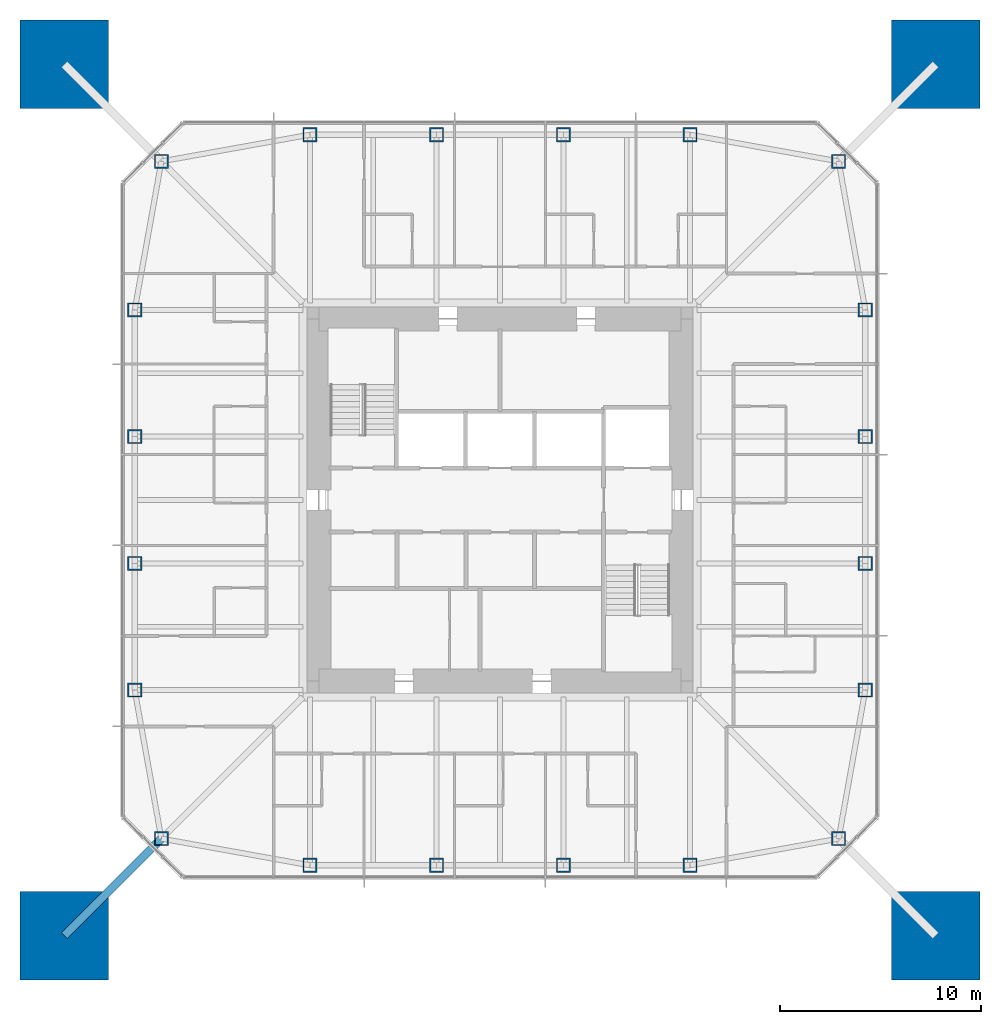
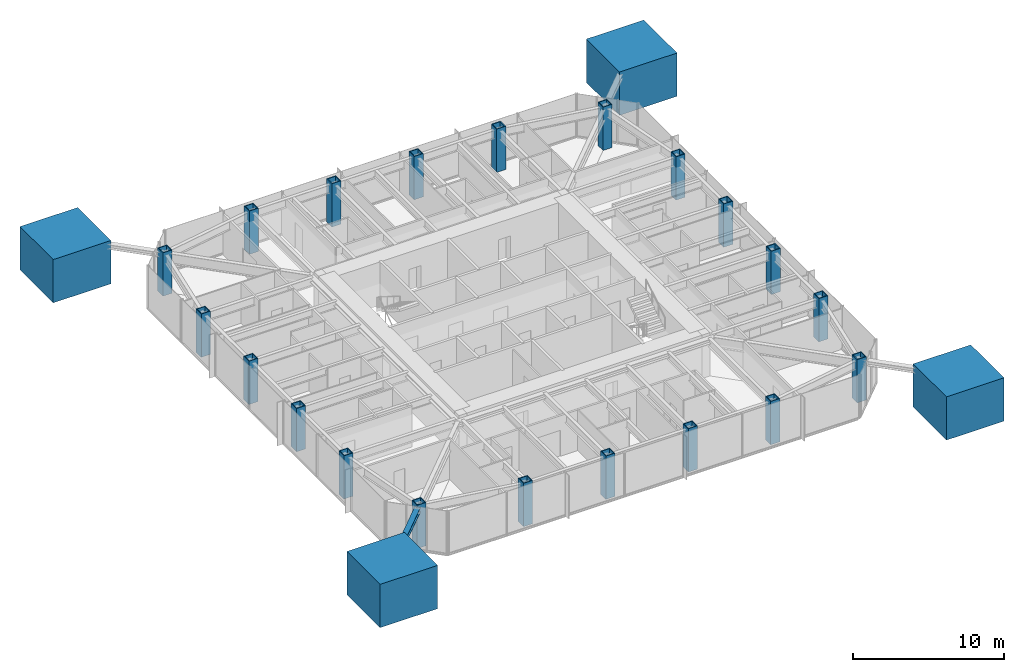
# One storey, part 1 of 11: 24 columns, 1 member.
"""IFC4 building model written with IfcOpenShell, lengths in metres."""

from ifc_helpers import new_model, si_unit, direction, frame, origin, origin_2d, place, context, subcontext, project, spatial, rectangle, hollow_rectangle, i_section, extrude, material, material_profile, profile_set, type_object, element, save


model = new_model("IFC4")

# Units and contexts
model_context = context("Model", 3, precision=1e-05, world=origin(), true_north=direction((0.0, 1.0)))
body_context = subcontext(model_context, "Body", "Model", "MODEL_VIEW")
ifc_project = project(units=[si_unit("LENGTHUNIT", "METRE"), si_unit("AREAUNIT", "SQUARE_METRE"), si_unit("VOLUMEUNIT", "CUBIC_METRE"), si_unit("PLANEANGLEUNIT", "RADIAN"), si_unit("MASSUNIT", "GRAM", prefix="KILO")], contexts=[model_context])

# Site, building, storey
site_placement = place(None, origin())
site = spatial("IfcSite", under=ifc_project, at=site_placement, CompositionType="ELEMENT")
building_placement = place(site_placement, origin())
building = spatial("IfcBuilding", under=site, at=building_placement, Name="Iwan Alto Co-Living Towers", CompositionType="ELEMENT")
storey_placement = place(building_placement, frame((0.0, 0.0, 156.5)))
storey = spatial("IfcBuildingStorey", under=building, at=storey_placement, Name="L42", CompositionType="ELEMENT", Elevation=156.5)

# Columns
ifc_material_1 = material(Name="Concrete f'c 70 MPa", Category="concrete")
ifc_material_profile_1 = material_profile(ifc_material_1, rectangle(XDim=4.39990234375, YDim=4.39990234375, at=origin_2d()), Name="RC 4400X4400")
ifc_profile_set_1 = profile_set([ifc_material_profile_1], Name="Concrete f'c 70 MPa")
column_type_1 = type_object("IfcColumnType", Name="T1 MEGA COLUMN RC 4400X4400", PredefinedType="COLUMN", material=ifc_profile_set_1)
for number, where, z_axis, x_axis, name in (
    (1, (-21.64990234375, -21.64990234375, 0.0), (0.0, 0.0, 1.0), (1.0, 0.0, 0.0), "T1 mega column SW L42"),
    (2, (21.64990234375, -21.64990234375, 0.0), (0.0, 0.0, 1.0), (1.0, 0.0, 0.0), "T1 mega column SE L42"),
    (3, (21.64990234375, 21.64990234375, 0.0), (0.0, 0.0, 1.0), (1.0, 0.0, 0.0), "T1 mega column NE L42"),
    (4, (-21.64990234375, 21.64990234375, 0.0), (0.0, 0.0, 1.0), (1.0, 0.0, 0.0), "T1 mega column NW L42"),
):
    element("IfcColumn", number, at=place(storey_placement, frame(where, z_axis=z_axis, x_axis=x_axis)), inside=storey, type_object=column_type_1, Name=name, PredefinedType="COLUMN", context=body_context, shape_type="SweptSolid", body=[
        extrude(rectangle(XDim=4.39990234375, YDim=4.39990234375, at=origin_2d()), origin(), (0.0, 0.0, 1.0), 3.5),
        extrude(i_section(OverallWidth=0.4775390625, OverallDepth=0.599365234375, WebThickness=0.10009765625, FlangeThickness=0.139892578125, at=origin_2d()), origin(), (0.0, 0.0, 1.0), 3.5),
    ])
ifc_material_2 = material(Name="Steel ASTM A572 Gr 50", Category="steel")
ifc_material_profile_2 = material_profile(ifc_material_2, hollow_rectangle(XDim=0.699951171875, YDim=0.699951171875, WallThickness=0.06005859375, at=origin_2d()), Name="BOX 700X700X60")
ifc_profile_set_2 = profile_set([ifc_material_profile_2], Name="Steel ASTM A572 Gr 50")
column_type_2 = type_object("IfcColumnType", Name="T1 RING COLUMN BOX 700X700X60", PredefinedType="COLUMN", material=ifc_profile_set_2)
for number, where, z_axis, x_axis, name in (
    (5, (-16.82568359375, -16.82568359375, 0.0), (0.0, 0.0, 1.0), (1.0, 0.0, 0.0), "T1 ring column CSW L42"),
    (6, (-9.449951171875, -18.14990234375, 0.0), (0.0, 0.0, 1.0), (1.0, 0.0, 0.0), "T1 ring column S1 L42"),
    (7, (-3.14990234375, -18.14990234375, 0.0), (0.0, 0.0, 1.0), (1.0, 0.0, 0.0), "T1 ring column S2 L42"),
    (8, (3.14990234375, -18.14990234375, 0.0), (0.0, 0.0, 1.0), (1.0, 0.0, 0.0), "T1 ring column S3 L42"),
    (9, (9.449951171875, -18.14990234375, 0.0), (0.0, 0.0, 1.0), (1.0, 0.0, 0.0), "T1 ring column S4 L42"),
    (10, (16.82568359375, -16.82568359375, 0.0), (0.0, 0.0, 1.0), (1.0, 0.0, 0.0), "T1 ring column CSE L42"),
    (11, (18.14990234375, -9.449951171875, 0.0), (0.0, 0.0, 1.0), (1.0, 0.0, 0.0), "T1 ring column E1 L42"),
    (12, (18.14990234375, -3.14990234375, 0.0), (0.0, 0.0, 1.0), (1.0, 0.0, 0.0), "T1 ring column E2 L42"),
    (13, (18.14990234375, 3.14990234375, 0.0), (0.0, 0.0, 1.0), (1.0, 0.0, 0.0), "T1 ring column E3 L42"),
    (14, (18.14990234375, 9.449951171875, 0.0), (0.0, 0.0, 1.0), (1.0, 0.0, 0.0), "T1 ring column E4 L42"),
    (15, (16.82568359375, 16.82568359375, 0.0), (0.0, 0.0, 1.0), (1.0, 0.0, 0.0), "T1 ring column CNE L42"),
    (16, (9.449951171875, 18.14990234375, 0.0), (0.0, 0.0, 1.0), (1.0, 0.0, 0.0), "T1 ring column N1 L42"),
    (17, (3.14990234375, 18.14990234375, 0.0), (0.0, 0.0, 1.0), (1.0, 0.0, 0.0), "T1 ring column N2 L42"),
    (18, (-3.14990234375, 18.14990234375, 0.0), (0.0, 0.0, 1.0), (1.0, 0.0, 0.0), "T1 ring column N3 L42"),
    (19, (-9.449951171875, 18.14990234375, 0.0), (0.0, 0.0, 1.0), (1.0, 0.0, 0.0), "T1 ring column N4 L42"),
    (20, (-16.82568359375, 16.82568359375, 0.0), (0.0, 0.0, 1.0), (1.0, 0.0, 0.0), "T1 ring column CNW L42"),
    (21, (-18.14990234375, 9.449951171875, 0.0), (0.0, 0.0, 1.0), (1.0, 0.0, 0.0), "T1 ring column W1 L42"),
    (22, (-18.14990234375, 3.14990234375, 0.0), (0.0, 0.0, 1.0), (1.0, 0.0, 0.0), "T1 ring column W2 L42"),
    (23, (-18.14990234375, -3.14990234375, 0.0), (0.0, 0.0, 1.0), (1.0, 0.0, 0.0), "T1 ring column W3 L42"),
    (24, (-18.14990234375, -9.449951171875, 0.0), (0.0, 0.0, 1.0), (1.0, 0.0, 0.0), "T1 ring column W4 L42"),
):
    element("IfcColumn", number, at=place(storey_placement, frame(where, z_axis=z_axis, x_axis=x_axis)), inside=storey, type_object=column_type_2, Name=name, PredefinedType="COLUMN", context=body_context, shape_type="SweptSolid", body=[
        extrude(hollow_rectangle(XDim=0.699951171875, YDim=0.699951171875, WallThickness=0.06005859375, at=origin_2d()), origin(), (0.0, 0.0, 1.0), 3.5),
    ])

# Member
ifc_material_3 = material(Name="Steel ASTM A992 Gr 50", Category="steel")
ifc_material_profile_3 = material_profile(ifc_material_3, i_section(OverallWidth=0.393798828125, OverallDepth=0.3759765625, WebThickness=0.017333984375, FlangeThickness=0.027587890625, at=origin_2d()), Name="W14X145")
ifc_profile_set_3 = profile_set([ifc_material_profile_3], Name="Steel ASTM A992 Gr 50")
member_type = type_object("IfcMemberType", Name="T1 MEGA COLUMN FLOOR TIE W14X145", PredefinedType="STRUT", material=ifc_profile_set_3)
member_placement = place(storey_placement, frame((-21.64990234375, -21.64990234375, 3.08203125), z_axis=(0.707106781187, 0.707106781187, 0.0), x_axis=(-0.707106781187, 0.707106781187, 0.0)))
element("IfcMember", 25, at=member_placement, inside=storey, type_object=member_type, Name="T1 mega column floor tie SW L43", PredefinedType="STRUT", context=body_context, shape_type="SweptSolid", body=[
    extrude(i_section(OverallWidth=0.393798828125, OverallDepth=0.3759765625, WebThickness=0.017333984375, FlangeThickness=0.027587890625, at=origin_2d()), origin(), (0.0, 0.0, 1.0), 6.822509765625),
])

save(model, "model.ifc")
